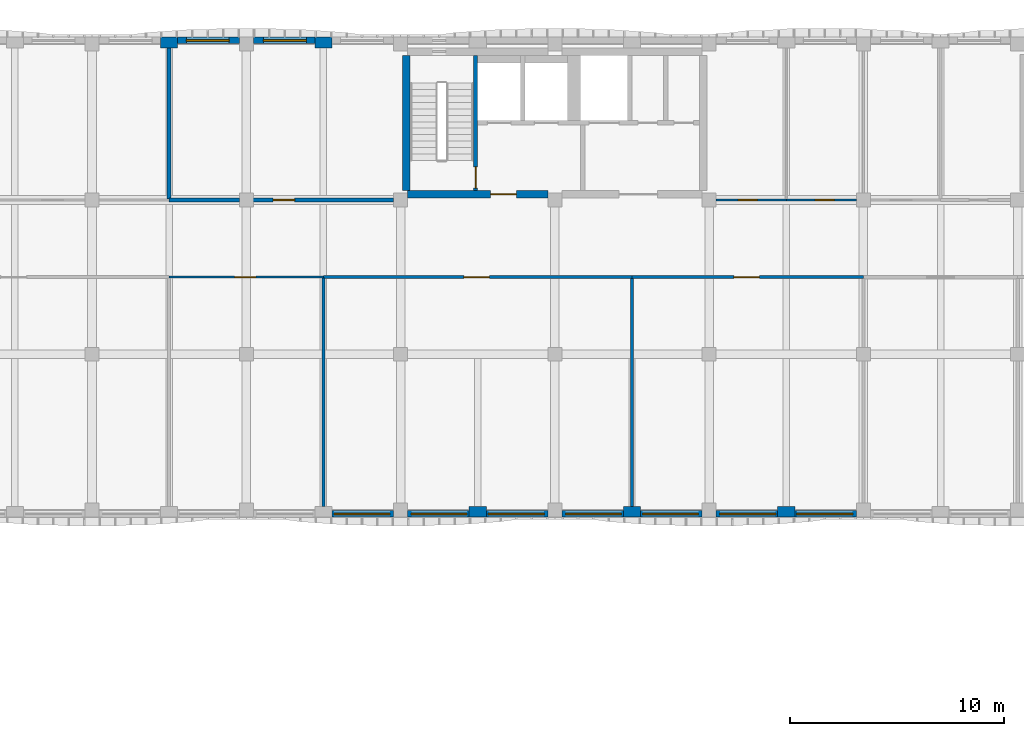
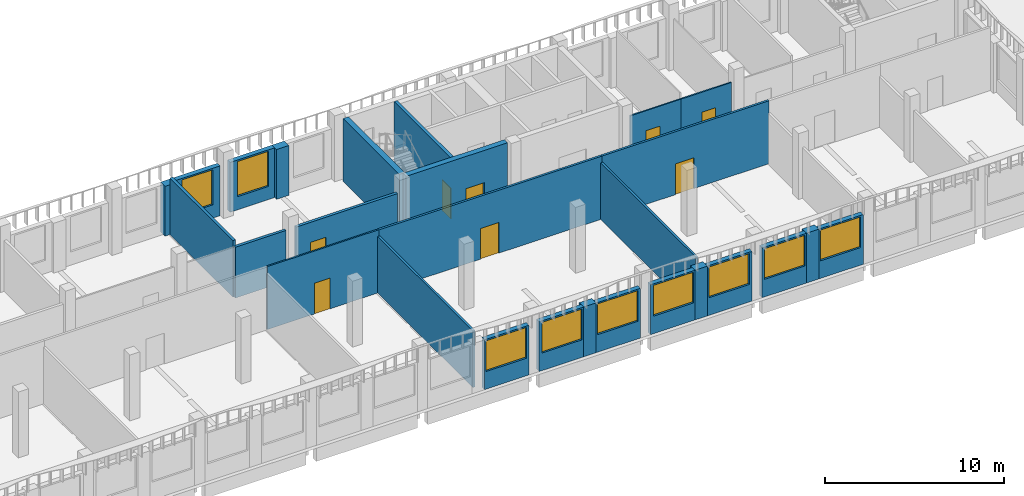
# One storey, part 26 of 54: 27 walls, 9 windows, 8 doors, 17 openings.
"""IFC4 building model written with IfcOpenShell, lengths in metres."""

from ifc_helpers import new_model, si_unit, direction, frame, frame_2d, origin, place, context, subcontext, project, spatial, rectangle, extrude, material, layer, layer_set, type_object, element, fill, save


model = new_model("IFC4")

# Units and contexts
model_context = context("Model", 3, precision=1e-05, world=origin(), true_north=direction((0.0, 1.0)))
body_context = subcontext(model_context, "Body", "Model", "MODEL_VIEW")
ifc_project = project(units=[si_unit("LENGTHUNIT", "METRE"), si_unit("AREAUNIT", "SQUARE_METRE"), si_unit("VOLUMEUNIT", "CUBIC_METRE"), si_unit("PLANEANGLEUNIT", "RADIAN"), si_unit("MASSUNIT", "GRAM", prefix="KILO")], contexts=[model_context])

# Site, building, storey
site_placement = place(None, origin())
site = spatial("IfcSite", under=ifc_project, at=site_placement, CompositionType="ELEMENT")
building_placement = place(site_placement, origin())
building = spatial("IfcBuilding", under=site, at=building_placement, Name="Ussher Court Research Institute", CompositionType="ELEMENT")
storey_placement = place(building_placement, frame((0.0, 0.0, 14.39990234375)))
storey = spatial("IfcBuildingStorey", under=building, at=storey_placement, Name="L03", CompositionType="ELEMENT", Elevation=14.39990234375)

# Wall
ifc_material_1 = material(Name="Plasterboard on steel studs with mineral wool", Category="steel")
ifc_layer_1 = layer(ifc_material_1, 0.179931640625)
ifc_layer_set_1 = layer_set([ifc_layer_1], Name="Plasterboard on steel studs with mineral wool")
wall_type_1 = type_object("IfcWallType", Name="Acoustic twin-stud partition 180", PredefinedType="PARTITIONING", material=ifc_layer_set_1)
wall_1_placement = place(storey_placement, frame((35.39990234375, 83.199951171875, 0.0), z_axis=(0.0, 0.0, 1.0), x_axis=(1.0, 0.0, 0.0)))
element("IfcWall", 1, at=wall_1_placement, inside=storey, type_object=wall_type_1, Name="Partition", PredefinedType="PARTITIONING", context=body_context, shape_type="SweptSolid", body=[
    extrude(rectangle(XDim=3.275146484375, YDim=0.179931640625, at=frame_2d((1.6376953125, 0.0))), origin(), (0.0, 0.0, 1.0), 3.47021484375),
])

# Wall, opening, door
wall_2_placement = place(storey_placement, frame((39.324951171875, 83.199951171875, 0.0), z_axis=(0.0, 0.0, 1.0), x_axis=(1.0, 0.0, 0.0)))
wall_2 = element("IfcWall", 2, at=wall_2_placement, inside=storey, type_object=wall_type_1, Name="Partition", PredefinedType="PARTITIONING", context=body_context, shape_type="SweptSolid", body=[
    extrude(rectangle(XDim=6.550048828125, YDim=0.179931640625, at=frame_2d((3.27490234375, 0.0))), origin(), (0.0, 0.0, 1.0), 3.47021484375),
])
opening_1_placement = place(wall_2_placement, frame((0.925048828125, 0.0, 0.0)))
opening_1 = element("IfcOpeningElement", 3, at=opening_1_placement, cuts=wall_2, Name="Opening D03017", PredefinedType="OPENING", context=body_context, shape_type="SweptSolid", body=[
    extrude(rectangle(XDim=1.0, YDim=2.10009765625, at=frame_2d((0.5, 1.050048828125))), frame((0.0, 0.10009765625, 0.0), z_axis=(0.0, -1.0, 0.0), x_axis=(1.0, 0.0, 0.0)), (0.0, 0.0, 1.0), 0.199951171875),
])
ifc_material_2 = material(Name="Veneered timber door", Category="wood")
door_type_1 = type_object("IfcDoorType", Name="Meeting room door 1000x2100", OperationType="NOTDEFINED", PredefinedType="DOOR", material=ifc_material_2)
door_1_placement = place(opening_1_placement, origin())
door_1 = element("IfcDoor", 4, at=door_1_placement, inside=storey, type_object=door_type_1, Name="Door D03017", OperationType="SINGLE_SWING_LEFT", OverallHeight=2.10009765625, OverallWidth=1.0, PredefinedType="DOOR", context=body_context, shape_type="SweptSolid", body=[
    extrude(rectangle(XDim=1.0, YDim=2.10009765625, at=frame_2d((0.5, 1.050048828125))), frame((0.0, 0.02490234375, 0.0), z_axis=(0.0, -1.0, 0.0), x_axis=(1.0, 0.0, 0.0)), (0.0, 0.0, 1.0), 0.050048828125),
])
fill(opening_1, door_1)

# Wall
wall_3_placement = place(storey_placement, frame((35.39990234375, 83.25, 0.0), z_axis=(0.0, 0.0, 1.0), x_axis=(0.0, 1.0, 0.0)))
element("IfcWall", 5, at=wall_3_placement, inside=storey, type_object=wall_type_1, Name="Partition", PredefinedType="PARTITIONING", context=body_context, shape_type="SweptSolid", body=[
    extrude(rectangle(XDim=7.050048828125, YDim=0.179931640625, at=frame_2d((3.52490234375, 0.0))), origin(), (0.0, 0.0, 1.0), 3.8701171875),
])

# Wall, opening, window
ifc_material_3 = material(Name="Blockwork with cream render", Category="masonry")
ifc_layer_2 = layer(ifc_material_3, 0.300048828125)
ifc_layer_set_2 = layer_set([ifc_layer_2], Name="Blockwork with cream render")
wall_type_2 = type_object("IfcWallType", Name="External wall 300 cream render", PredefinedType="SOLIDWALL", material=ifc_layer_set_2)
wall_4_placement = place(storey_placement, frame((35.800048828125, 90.64990234375, 0.0), z_axis=(0.0, 0.0, 1.0), x_axis=(1.0, 0.0, 0.0)))
wall_4 = element("IfcWall", 6, at=wall_4_placement, inside=storey, type_object=wall_type_2, Name="External wall EW1 L03", PredefinedType="SOLIDWALL", context=body_context, shape_type="SweptSolid", body=[
    extrude(rectangle(XDim=2.875, YDim=0.300048828125, at=frame_2d((1.4375, 0.0))), origin(), (0.0, 0.0, 1.0), 3.400146484375),
])
opening_2_placement = place(wall_4_placement, frame((0.39990234375, 0.0, 0.89990234375)))
opening_2 = element("IfcOpeningElement", 7, at=opening_2_placement, cuts=wall_4, Name="Opening W14", PredefinedType="OPENING", context=body_context, shape_type="SweptSolid", body=[
    extrude(rectangle(XDim=2.0, YDim=2.39990234375, at=frame_2d((1.0, 1.199951171875))), frame((0.0, 0.16015625, 0.0), z_axis=(0.0, -1.0, 0.0), x_axis=(1.0, 0.0, 0.0)), (0.0, 0.0, 1.0), 0.320068359375),
])
ifc_material_4 = material(Name="Bronze anodised aluminium with double glazing", Category="aluminium")
window_type_1 = type_object("IfcWindowType", Name="Seminar and write-up office window 2000x2400", PartitioningType="DOUBLE_PANEL_VERTICAL", PredefinedType="WINDOW", material=ifc_material_4)
window_1_placement = place(opening_2_placement, origin())
window_1 = element("IfcWindow", 8, at=window_1_placement, inside=storey, type_object=window_type_1, Name="Window W14 L03", OverallHeight=2.39990234375, OverallWidth=2.0, PartitioningType="SINGLE_PANEL", PredefinedType="WINDOW", context=body_context, shape_type="SweptSolid", body=[
    extrude(rectangle(XDim=2.0, YDim=2.39990234375, at=frame_2d((1.0, 1.199951171875))), frame((0.0, 0.030029296875, 0.0), z_axis=(0.0, -1.0, 0.0), x_axis=(1.0, 0.0, 0.0)), (0.0, 0.0, 1.0), 0.06005859375),
])
fill(opening_2, window_1)

wall_5_placement = place(storey_placement, frame((39.324951171875, 90.64990234375, 0.0), z_axis=(0.0, 0.0, 1.0), x_axis=(1.0, 0.0, 0.0)))
wall_5 = element("IfcWall", 9, at=wall_5_placement, inside=storey, type_object=wall_type_2, Name="External wall EW1 L03", PredefinedType="SOLIDWALL", context=body_context, shape_type="SweptSolid", body=[
    extrude(rectangle(XDim=2.875, YDim=0.300048828125, at=frame_2d((1.4375, 0.0))), origin(), (0.0, 0.0, 1.0), 3.400146484375),
])
opening_3_placement = place(wall_5_placement, frame((0.47509765625, 0.0, 0.89990234375)))
opening_3 = element("IfcOpeningElement", 10, at=opening_3_placement, cuts=wall_5, Name="Opening W14", PredefinedType="OPENING", context=body_context, shape_type="SweptSolid", body=[
    extrude(rectangle(XDim=2.0, YDim=2.39990234375, at=frame_2d((1.0, 1.199951171875))), frame((0.0, 0.16015625, 0.0), z_axis=(0.0, -1.0, 0.0), x_axis=(1.0, 0.0, 0.0)), (0.0, 0.0, 1.0), 0.320068359375),
])
window_2_placement = place(opening_3_placement, origin())
window_2 = element("IfcWindow", 11, at=window_2_placement, inside=storey, type_object=window_type_1, Name="Window W14 L03", OverallHeight=2.39990234375, OverallWidth=2.0, PartitioningType="SINGLE_PANEL", PredefinedType="WINDOW", context=body_context, shape_type="SweptSolid", body=[
    extrude(rectangle(XDim=2.0, YDim=2.39990234375, at=frame_2d((1.0, 1.199951171875))), frame((0.0, 0.030029296875, 0.0), z_axis=(0.0, -1.0, 0.0), x_axis=(1.0, 0.0, 0.0)), (0.0, 0.0, 1.0), 0.06005859375),
])
fill(opening_3, window_2)

wall_6_placement = place(storey_placement, frame((67.47509765625, 68.550048828125, 0.0), z_axis=(0.0, 0.0, 1.0), x_axis=(-1.0, 0.0, 0.0)))
wall_6 = element("IfcWall", 12, at=wall_6_placement, inside=storey, type_object=wall_type_2, Name="External wall EW1 L03", PredefinedType="SOLIDWALL", context=body_context, shape_type="SweptSolid", body=[
    extrude(rectangle(XDim=2.875, YDim=0.300048828125, at=frame_2d((1.4375, 0.0))), origin(), (0.0, 0.0, 1.0), 3.400146484375),
])
opening_4_placement = place(wall_6_placement, frame((0.175048828125, 0.0, 1.199951171875)))
opening_4 = element("IfcOpeningElement", 13, at=opening_4_placement, cuts=wall_6, Name="Opening W08", PredefinedType="OPENING", context=body_context, shape_type="SweptSolid", body=[
    extrude(rectangle(XDim=2.60009765625, YDim=2.10009765625, at=frame_2d((1.300048828125, 1.050048828125))), frame((0.0, 0.16015625, 0.0), z_axis=(0.0, -1.0, 0.0), x_axis=(1.0, 0.0, 0.0)), (0.0, 0.0, 1.0), 0.320068359375),
])
ifc_material_5 = material(Name="Bronze anodised aluminium with double glazing", Category="aluminium")
window_type_2 = type_object("IfcWindowType", Name="Dry laboratory bay window 2600x2100", PartitioningType="DOUBLE_PANEL_VERTICAL", PredefinedType="WINDOW", material=ifc_material_5)
window_3_placement = place(opening_4_placement, origin())
window_3 = element("IfcWindow", 14, at=window_3_placement, inside=storey, type_object=window_type_2, Name="Window W08 L03", OverallHeight=2.10009765625, OverallWidth=2.60009765625, PartitioningType="SINGLE_PANEL", PredefinedType="WINDOW", context=body_context, shape_type="SweptSolid", body=[
    extrude(rectangle(XDim=2.60009765625, YDim=2.10009765625, at=frame_2d((1.300048828125, 1.050048828125))), frame((0.0, 0.030029296875, 0.0), z_axis=(0.0, -1.0, 0.0), x_axis=(1.0, 0.0, 0.0)), (0.0, 0.0, 1.0), 0.06005859375),
])
fill(opening_4, window_3)

wall_7_placement = place(storey_placement, frame((63.800048828125, 68.550048828125, 0.0), z_axis=(0.0, 0.0, 1.0), x_axis=(-1.0, 0.0, 0.0)))
wall_7 = element("IfcWall", 15, at=wall_7_placement, inside=storey, type_object=wall_type_2, Name="External wall EW1 L03", PredefinedType="SOLIDWALL", context=body_context, shape_type="SweptSolid", body=[
    extrude(rectangle(XDim=2.875, YDim=0.300048828125, at=frame_2d((1.4375, 0.0))), origin(), (0.0, 0.0, 1.0), 3.400146484375),
])
opening_5_placement = place(wall_7_placement, frame((0.10009765625, 0.0, 1.199951171875)))
opening_5 = element("IfcOpeningElement", 16, at=opening_5_placement, cuts=wall_7, Name="Opening W08", PredefinedType="OPENING", context=body_context, shape_type="SweptSolid", body=[
    extrude(rectangle(XDim=2.60009765625, YDim=2.10009765625, at=frame_2d((1.300048828125, 1.050048828125))), frame((0.0, 0.16015625, 0.0), z_axis=(0.0, -1.0, 0.0), x_axis=(1.0, 0.0, 0.0)), (0.0, 0.0, 1.0), 0.320068359375),
])
window_4_placement = place(opening_5_placement, origin())
window_4 = element("IfcWindow", 17, at=window_4_placement, inside=storey, type_object=window_type_2, Name="Window W08 L03", OverallHeight=2.10009765625, OverallWidth=2.60009765625, PartitioningType="SINGLE_PANEL", PredefinedType="WINDOW", context=body_context, shape_type="SweptSolid", body=[
    extrude(rectangle(XDim=2.60009765625, YDim=2.10009765625, at=frame_2d((1.300048828125, 1.050048828125))), frame((0.0, 0.030029296875, 0.0), z_axis=(0.0, -1.0, 0.0), x_axis=(1.0, 0.0, 0.0)), (0.0, 0.0, 1.0), 0.06005859375),
])
fill(opening_5, window_4)

wall_8_placement = place(storey_placement, frame((60.27490234375, 68.550048828125, 0.0), z_axis=(0.0, 0.0, 1.0), x_axis=(-1.0, 0.0, 0.0)))
wall_8 = element("IfcWall", 18, at=wall_8_placement, inside=storey, type_object=wall_type_2, Name="External wall EW1 L03", PredefinedType="SOLIDWALL", context=body_context, shape_type="SweptSolid", body=[
    extrude(rectangle(XDim=2.875, YDim=0.300048828125, at=frame_2d((1.4375, 0.0))), origin(), (0.0, 0.0, 1.0), 3.400146484375),
])
opening_6_placement = place(wall_8_placement, frame((0.175048828125, 0.0, 1.199951171875)))
opening_6 = element("IfcOpeningElement", 19, at=opening_6_placement, cuts=wall_8, Name="Opening W08", PredefinedType="OPENING", context=body_context, shape_type="SweptSolid", body=[
    extrude(rectangle(XDim=2.60009765625, YDim=2.10009765625, at=frame_2d((1.300048828125, 1.050048828125))), frame((0.0, 0.16015625, 0.0), z_axis=(0.0, -1.0, 0.0), x_axis=(1.0, 0.0, 0.0)), (0.0, 0.0, 1.0), 0.320068359375),
])
window_5_placement = place(opening_6_placement, origin())
window_5 = element("IfcWindow", 20, at=window_5_placement, inside=storey, type_object=window_type_2, Name="Window W08 L03", OverallHeight=2.10009765625, OverallWidth=2.60009765625, PartitioningType="SINGLE_PANEL", PredefinedType="WINDOW", context=body_context, shape_type="SweptSolid", body=[
    extrude(rectangle(XDim=2.60009765625, YDim=2.10009765625, at=frame_2d((1.300048828125, 1.050048828125))), frame((0.0, 0.030029296875, 0.0), z_axis=(0.0, -1.0, 0.0), x_axis=(1.0, 0.0, 0.0)), (0.0, 0.0, 1.0), 0.06005859375),
])
fill(opening_6, window_5)

wall_9_placement = place(storey_placement, frame((56.60009765625, 68.550048828125, 0.0), z_axis=(0.0, 0.0, 1.0), x_axis=(-1.0, 0.0, 0.0)))
wall_9 = element("IfcWall", 21, at=wall_9_placement, inside=storey, type_object=wall_type_2, Name="External wall EW1 L03", PredefinedType="SOLIDWALL", context=body_context, shape_type="SweptSolid", body=[
    extrude(rectangle(XDim=2.875, YDim=0.300048828125, at=frame_2d((1.4375, 0.0))), origin(), (0.0, 0.0, 1.0), 3.400146484375),
])
opening_7_placement = place(wall_9_placement, frame((0.10009765625, 0.0, 1.199951171875)))
opening_7 = element("IfcOpeningElement", 22, at=opening_7_placement, cuts=wall_9, Name="Opening W08", PredefinedType="OPENING", context=body_context, shape_type="SweptSolid", body=[
    extrude(rectangle(XDim=2.60009765625, YDim=2.10009765625, at=frame_2d((1.300048828125, 1.050048828125))), frame((0.0, 0.16015625, 0.0), z_axis=(0.0, -1.0, 0.0), x_axis=(1.0, 0.0, 0.0)), (0.0, 0.0, 1.0), 0.320068359375),
])
window_6_placement = place(opening_7_placement, origin())
window_6 = element("IfcWindow", 23, at=window_6_placement, inside=storey, type_object=window_type_2, Name="Window W08 L03", OverallHeight=2.10009765625, OverallWidth=2.60009765625, PartitioningType="SINGLE_PANEL", PredefinedType="WINDOW", context=body_context, shape_type="SweptSolid", body=[
    extrude(rectangle(XDim=2.60009765625, YDim=2.10009765625, at=frame_2d((1.300048828125, 1.050048828125))), frame((0.0, 0.030029296875, 0.0), z_axis=(0.0, -1.0, 0.0), x_axis=(1.0, 0.0, 0.0)), (0.0, 0.0, 1.0), 0.06005859375),
])
fill(opening_7, window_6)

wall_10_placement = place(storey_placement, frame((53.074951171875, 68.550048828125, 0.0), z_axis=(0.0, 0.0, 1.0), x_axis=(-1.0, 0.0, 0.0)))
wall_10 = element("IfcWall", 24, at=wall_10_placement, inside=storey, type_object=wall_type_2, Name="External wall EW1 L03", PredefinedType="SOLIDWALL", context=body_context, shape_type="SweptSolid", body=[
    extrude(rectangle(XDim=2.875, YDim=0.300048828125, at=frame_2d((1.4375, 0.0))), origin(), (0.0, 0.0, 1.0), 3.400146484375),
])
opening_8_placement = place(wall_10_placement, frame((0.175048828125, 0.0, 1.199951171875)))
opening_8 = element("IfcOpeningElement", 25, at=opening_8_placement, cuts=wall_10, Name="Opening W08", PredefinedType="OPENING", context=body_context, shape_type="SweptSolid", body=[
    extrude(rectangle(XDim=2.60009765625, YDim=2.10009765625, at=frame_2d((1.300048828125, 1.050048828125))), frame((0.0, 0.16015625, 0.0), z_axis=(0.0, -1.0, 0.0), x_axis=(1.0, 0.0, 0.0)), (0.0, 0.0, 1.0), 0.320068359375),
])
window_7_placement = place(opening_8_placement, origin())
window_7 = element("IfcWindow", 26, at=window_7_placement, inside=storey, type_object=window_type_2, Name="Window W08 L03", OverallHeight=2.10009765625, OverallWidth=2.60009765625, PartitioningType="SINGLE_PANEL", PredefinedType="WINDOW", context=body_context, shape_type="SweptSolid", body=[
    extrude(rectangle(XDim=2.60009765625, YDim=2.10009765625, at=frame_2d((1.300048828125, 1.050048828125))), frame((0.0, 0.030029296875, 0.0), z_axis=(0.0, -1.0, 0.0), x_axis=(1.0, 0.0, 0.0)), (0.0, 0.0, 1.0), 0.06005859375),
])
fill(opening_8, window_7)

wall_11_placement = place(storey_placement, frame((49.39990234375, 68.550048828125, 0.0), z_axis=(0.0, 0.0, 1.0), x_axis=(-1.0, 0.0, 0.0)))
wall_11 = element("IfcWall", 27, at=wall_11_placement, inside=storey, type_object=wall_type_2, Name="External wall EW1 L03", PredefinedType="SOLIDWALL", context=body_context, shape_type="SweptSolid", body=[
    extrude(rectangle(XDim=2.875, YDim=0.300048828125, at=frame_2d((1.4375, 0.0))), origin(), (0.0, 0.0, 1.0), 3.400146484375),
])
opening_9_placement = place(wall_11_placement, frame((0.10009765625, 0.0, 1.199951171875)))
opening_9 = element("IfcOpeningElement", 28, at=opening_9_placement, cuts=wall_11, Name="Opening W08", PredefinedType="OPENING", context=body_context, shape_type="SweptSolid", body=[
    extrude(rectangle(XDim=2.60009765625, YDim=2.10009765625, at=frame_2d((1.300048828125, 1.050048828125))), frame((0.0, 0.16015625, 0.0), z_axis=(0.0, -1.0, 0.0), x_axis=(1.0, 0.0, 0.0)), (0.0, 0.0, 1.0), 0.320068359375),
])
window_8_placement = place(opening_9_placement, origin())
window_8 = element("IfcWindow", 29, at=window_8_placement, inside=storey, type_object=window_type_2, Name="Window W08 L03", OverallHeight=2.10009765625, OverallWidth=2.60009765625, PartitioningType="SINGLE_PANEL", PredefinedType="WINDOW", context=body_context, shape_type="SweptSolid", body=[
    extrude(rectangle(XDim=2.60009765625, YDim=2.10009765625, at=frame_2d((1.300048828125, 1.050048828125))), frame((0.0, 0.030029296875, 0.0), z_axis=(0.0, -1.0, 0.0), x_axis=(1.0, 0.0, 0.0)), (0.0, 0.0, 1.0), 0.06005859375),
])
fill(opening_9, window_8)

wall_12_placement = place(storey_placement, frame((45.875, 68.550048828125, 0.0), z_axis=(0.0, 0.0, 1.0), x_axis=(-1.0, 0.0, 0.0)))
wall_12 = element("IfcWall", 30, at=wall_12_placement, inside=storey, type_object=wall_type_2, Name="External wall EW1 L03", PredefinedType="SOLIDWALL", context=body_context, shape_type="SweptSolid", body=[
    extrude(rectangle(XDim=2.875, YDim=0.300048828125, at=frame_2d((1.4375, 0.0))), origin(), (0.0, 0.0, 1.0), 3.400146484375),
])
opening_10_placement = place(wall_12_placement, frame((0.175048828125, 0.0, 1.199951171875)))
opening_10 = element("IfcOpeningElement", 31, at=opening_10_placement, cuts=wall_12, Name="Opening W08", PredefinedType="OPENING", context=body_context, shape_type="SweptSolid", body=[
    extrude(rectangle(XDim=2.60009765625, YDim=2.10009765625, at=frame_2d((1.300048828125, 1.050048828125))), frame((0.0, 0.16015625, 0.0), z_axis=(0.0, -1.0, 0.0), x_axis=(1.0, 0.0, 0.0)), (0.0, 0.0, 1.0), 0.320068359375),
])
window_9_placement = place(opening_10_placement, origin())
window_9 = element("IfcWindow", 32, at=window_9_placement, inside=storey, type_object=window_type_2, Name="Window W08 L03", OverallHeight=2.10009765625, OverallWidth=2.60009765625, PartitioningType="SINGLE_PANEL", PredefinedType="WINDOW", context=body_context, shape_type="SweptSolid", body=[
    extrude(rectangle(XDim=2.60009765625, YDim=2.10009765625, at=frame_2d((1.300048828125, 1.050048828125))), frame((0.0, 0.030029296875, 0.0), z_axis=(0.0, -1.0, 0.0), x_axis=(1.0, 0.0, 0.0)), (0.0, 0.0, 1.0), 0.06005859375),
])
fill(opening_10, window_9)

# Wall, opening, door
ifc_material_6 = material(Name="Plastered blockwork", Category="masonry")
ifc_layer_3 = layer(ifc_material_6, 0.139892578125)
ifc_layer_set_3 = layer_set([ifc_layer_3], Name="Plastered blockwork")
wall_type_3 = type_object("IfcWallType", Name="Laboratory blockwork partition 140", PredefinedType="PARTITIONING", material=ifc_layer_set_3)
wall_13_placement = place(storey_placement, frame((57.0, 79.60009765625, 0.0), z_axis=(0.0, 0.0, 1.0), x_axis=(-1.0, 0.0, 0.0)))
wall_13 = element("IfcWall", 33, at=wall_13_placement, inside=storey, type_object=wall_type_3, Name="Partition", PredefinedType="PARTITIONING", context=body_context, shape_type="SweptSolid", body=[
    extrude(rectangle(XDim=14.39990234375, YDim=0.139892578125, at=frame_2d((7.199951171875, 0.0))), origin(), (0.0, 0.0, 1.0), 4.300048828125),
])
opening_11_placement = place(wall_13_placement, frame((6.64990234375, 0.0, 0.0)))
opening_11 = element("IfcOpeningElement", 34, at=opening_11_placement, cuts=wall_13, Name="Opening D03020", PredefinedType="OPENING", context=body_context, shape_type="SweptSolid", body=[
    extrude(rectangle(XDim=1.199951171875, YDim=2.10009765625, at=frame_2d((0.60009765625, 1.050048828125))), frame((0.0, 0.080078125, 0.0), z_axis=(0.0, -1.0, 0.0), x_axis=(1.0, 0.0, 0.0)), (0.0, 0.0, 1.0), 0.159912109375),
])
ifc_material_7 = material(Name="Veneered timber door", Category="wood")
door_type_2 = type_object("IfcDoorType", Name="Laboratory door 1200x2100", OperationType="NOTDEFINED", PredefinedType="DOOR", material=ifc_material_7)
door_2_placement = place(opening_11_placement, origin())
door_2 = element("IfcDoor", 35, at=door_2_placement, inside=storey, type_object=door_type_2, Name="Door D03020", OperationType="SINGLE_SWING_RIGHT", OverallHeight=2.10009765625, OverallWidth=1.199951171875, PredefinedType="DOOR", context=body_context, shape_type="SweptSolid", body=[
    extrude(rectangle(XDim=1.199951171875, YDim=2.10009765625, at=frame_2d((0.60009765625, 1.050048828125))), frame((0.0, 0.02490234375, 0.0), z_axis=(0.0, -1.0, 0.0), x_axis=(1.0, 0.0, 0.0)), (0.0, 0.0, 1.0), 0.050048828125),
])
fill(opening_11, door_2)

wall_14_placement = place(storey_placement, frame((67.800048828125, 79.60009765625, 0.0), z_axis=(0.0, 0.0, 1.0), x_axis=(-1.0, 0.0, 0.0)))
wall_14 = element("IfcWall", 36, at=wall_14_placement, inside=storey, type_object=wall_type_3, Name="Partition", PredefinedType="PARTITIONING", context=body_context, shape_type="SweptSolid", body=[
    extrude(rectangle(XDim=10.800048828125, YDim=0.139892578125, at=frame_2d((5.39990234375, 0.0))), origin(), (0.0, 0.0, 1.0), 4.300048828125),
])
opening_12_placement = place(wall_14_placement, frame((4.85009765625, 0.0, 0.0)))
opening_12 = element("IfcOpeningElement", 37, at=opening_12_placement, cuts=wall_14, Name="Opening D03025", PredefinedType="OPENING", context=body_context, shape_type="SweptSolid", body=[
    extrude(rectangle(XDim=1.199951171875, YDim=2.10009765625, at=frame_2d((0.60009765625, 1.050048828125))), frame((0.0, 0.080078125, 0.0), z_axis=(0.0, -1.0, 0.0), x_axis=(1.0, 0.0, 0.0)), (0.0, 0.0, 1.0), 0.159912109375),
])
door_3_placement = place(opening_12_placement, origin())
door_3 = element("IfcDoor", 38, at=door_3_placement, inside=storey, type_object=door_type_2, Name="Door D03025", OperationType="SINGLE_SWING_RIGHT", OverallHeight=2.10009765625, OverallWidth=1.199951171875, PredefinedType="DOOR", context=body_context, shape_type="SweptSolid", body=[
    extrude(rectangle(XDim=1.199951171875, YDim=2.10009765625, at=frame_2d((0.60009765625, 1.050048828125))), frame((0.0, 0.02490234375, 0.0), z_axis=(0.0, -1.0, 0.0), x_axis=(1.0, 0.0, 0.0)), (0.0, 0.0, 1.0), 0.050048828125),
])
fill(opening_12, door_3)

# Walls
wall_15_placement = place(storey_placement, frame((42.60009765625, 68.89990234375, 0.0), z_axis=(0.0, 0.0, 1.0), x_axis=(0.0, 1.0, 0.0)))
element("IfcWall", 39, at=wall_15_placement, inside=storey, type_object=wall_type_3, Name="Partition", PredefinedType="PARTITIONING", context=body_context, shape_type="SweptSolid", body=[
    extrude(rectangle(XDim=10.650146484375, YDim=0.139892578125, at=frame_2d((5.3251953125, 0.0))), origin(), (0.0, 0.0, 1.0), 3.8701171875),
])
wall_16_placement = place(storey_placement, frame((57.0, 68.89990234375, 0.0), z_axis=(0.0, 0.0, 1.0), x_axis=(0.0, 1.0, 0.0)))
element("IfcWall", 40, at=wall_16_placement, inside=storey, type_object=wall_type_3, Name="Partition", PredefinedType="PARTITIONING", context=body_context, shape_type="SweptSolid", body=[
    extrude(rectangle(XDim=10.630126953125, YDim=0.139892578125, at=frame_2d((5.31494140625, 0.0))), origin(), (0.0, 0.0, 1.0), 3.8701171875),
])

# Wall, opening, door
ifc_material_8 = material(Name="Plastered blockwork", Category="masonry")
ifc_layer_4 = layer(ifc_material_8, 0.10009765625)
ifc_layer_set_4 = layer_set([ifc_layer_4], Name="Plastered blockwork")
wall_type_4 = type_object("IfcWallType", Name="Partition plastered blockwork 100", PredefinedType="PARTITIONING", material=ifc_layer_set_4)
wall_17_placement = place(storey_placement, frame((42.60009765625, 79.60009765625, 0.0), z_axis=(0.0, 0.0, 1.0), x_axis=(-1.0, 0.0, 0.0)))
wall_17 = element("IfcWall", 41, at=wall_17_placement, inside=storey, type_object=wall_type_4, Name="Partition", PredefinedType="PARTITIONING", context=body_context, shape_type="SweptSolid", body=[
    extrude(rectangle(XDim=7.2001953125, YDim=0.10009765625, at=frame_2d((3.60009765625, 0.0))), origin(), (0.0, 0.0, 1.0), 4.300048828125),
])
opening_13_placement = place(wall_17_placement, frame((3.14990234375, 0.0, 0.0)))
opening_13 = element("IfcOpeningElement", 42, at=opening_13_placement, cuts=wall_17, Name="Opening D03015", PredefinedType="OPENING", context=body_context, shape_type="SweptSolid", body=[
    extrude(rectangle(XDim=1.0, YDim=2.10009765625, at=frame_2d((0.5, 1.050048828125))), frame((0.0, 0.06005859375, 0.0), z_axis=(0.0, -1.0, 0.0), x_axis=(1.0, 0.0, 0.0)), (0.0, 0.0, 1.0), 0.1201171875),
])
ifc_material_9 = material(Name="Veneered timber door", Category="wood")
door_type_3 = type_object("IfcDoorType", Name="Office door 1000x2100", OperationType="NOTDEFINED", PredefinedType="DOOR", material=ifc_material_9)
door_4_placement = place(opening_13_placement, origin())
door_4 = element("IfcDoor", 43, at=door_4_placement, inside=storey, type_object=door_type_3, Name="Door D03015", OperationType="SINGLE_SWING_RIGHT", OverallHeight=2.10009765625, OverallWidth=1.0, PredefinedType="DOOR", context=body_context, shape_type="SweptSolid", body=[
    extrude(rectangle(XDim=1.0, YDim=2.10009765625, at=frame_2d((0.5, 1.050048828125))), frame((0.0, 0.02490234375, 0.0), z_axis=(0.0, -1.0, 0.0), x_axis=(1.0, 0.0, 0.0)), (0.0, 0.0, 1.0), 0.050048828125),
])
fill(opening_13, door_4)

# Walls
ifc_material_10 = material(Name="Blockwork with cream render", Category="masonry")
ifc_layer_5 = layer(ifc_material_10, 0.5)
ifc_layer_set_5 = layer_set([ifc_layer_5], Name="Blockwork with cream render")
wall_type_5 = type_object("IfcWallType", Name="Pier 800x500 cream render", PredefinedType="SOLIDWALL", material=ifc_layer_set_5)
for number, where, z_axis, x_axis, name in (
    (44, (35.0, 90.550048828125, 0.0), (0.0, 0.0, 1.0), (1.0, 0.0, 0.0), "Pier PR1 L03"),
    (45, (42.199951171875, 90.550048828125, 0.0), (0.0, 0.0, 1.0), (1.0, 0.0, 0.0), "Pier PR1 L03"),
    (46, (64.60009765625, 68.64990234375, 0.0), (0.0, 0.0, 1.0), (-1.0, 0.0, 0.0), "Pier PR1 L03"),
):
    element("IfcWall", number, at=place(storey_placement, frame(where, z_axis=z_axis, x_axis=x_axis)), inside=storey, type_object=wall_type_5, Name=name, PredefinedType="SOLIDWALL", context=body_context, shape_type="SweptSolid", body=[
        extrude(rectangle(XDim=0.800048828125, YDim=0.5, at=frame_2d((0.39990234375, 0.0))), origin(), (0.0, 0.0, 1.0), 3.400146484375),
    ])
wall_18_placement = place(storey_placement, frame((57.39990234375, 68.64990234375, 0.0), z_axis=(0.0, 0.0, 1.0), x_axis=(-1.0, 0.0, 0.0)))
element("IfcWall", 47, at=wall_18_placement, inside=storey, type_object=wall_type_5, Name="Pier PR1 L03", PredefinedType="SOLIDWALL", context=body_context, shape_type="SweptSolid", body=[
    extrude(rectangle(XDim=0.7998046875, YDim=0.5, at=frame_2d((0.39990234375, 0.0))), origin(), (0.0, 0.0, 1.0), 3.400146484375),
])
wall_19_placement = place(storey_placement, frame((50.199951171875, 68.64990234375, 0.0), z_axis=(0.0, 0.0, 1.0), x_axis=(-1.0, 0.0, 0.0)))
element("IfcWall", 48, at=wall_19_placement, inside=storey, type_object=wall_type_5, Name="Pier PR1 L03", PredefinedType="SOLIDWALL", context=body_context, shape_type="SweptSolid", body=[
    extrude(rectangle(XDim=0.800048828125, YDim=0.5, at=frame_2d((0.39990234375, 0.0))), origin(), (0.0, 0.0, 1.0), 3.400146484375),
])

# Wall, opening, door
ifc_material_11 = material(Name="Concrete C35/45", Category="concrete")
ifc_layer_6 = layer(ifc_material_11, 0.199951171875)
ifc_layer_set_6 = layer_set([ifc_layer_6], Name="Concrete C35/45")
wall_type_6 = type_object("IfcWallType", Name="RC core wall 200", PredefinedType="SHEAR", material=ifc_layer_set_6)
wall_20_placement = place(storey_placement, frame((49.699951171875, 83.64990234375, 0.0), z_axis=(0.0, 0.0, 1.0), x_axis=(0.0, 1.0, 0.0)))
wall_20 = element("IfcWall", 49, at=wall_20_placement, inside=storey, type_object=wall_type_6, Name="Core wall D2", PredefinedType="SHEAR", context=body_context, shape_type="SweptSolid", body=[
    extrude(rectangle(XDim=6.300048828125, YDim=0.199951171875, at=frame_2d((3.14990234375, 0.0))), origin(), (0.0, 0.0, 1.0), 4.300048828125),
])
opening_14_placement = place(wall_20_placement, frame((0.10009765625, 0.0, 0.0)))
opening_14 = element("IfcOpeningElement", 50, at=opening_14_placement, cuts=wall_20, Name="Opening D03019", PredefinedType="OPENING", context=body_context, shape_type="SweptSolid", body=[
    extrude(rectangle(XDim=1.0, YDim=2.10009765625, at=frame_2d((0.5, 1.050048828125))), frame((0.0, 0.10986328125, 0.0), z_axis=(0.0, -1.0, 0.0), x_axis=(1.0, 0.0, 0.0)), (0.0, 0.0, 1.0), 0.219970703125),
])
ifc_material_12 = material(Name="Painted steel faced fire door", Category="steel")
door_type_4 = type_object("IfcDoorType", Name="Fire door 1000x2100 FD60", OperationType="NOTDEFINED", PredefinedType="DOOR", material=ifc_material_12)
door_5_placement = place(opening_14_placement, origin())
door_5 = element("IfcDoor", 51, at=door_5_placement, inside=storey, type_object=door_type_4, Name="Door D03019", OperationType="SINGLE_SWING_LEFT", OverallHeight=2.10009765625, OverallWidth=1.0, PredefinedType="DOOR", context=body_context, shape_type="SweptSolid", body=[
    extrude(rectangle(XDim=1.0, YDim=2.10009765625, at=frame_2d((0.5, 1.050048828125))), frame((0.0, 0.02490234375, 0.0), z_axis=(0.0, -1.0, 0.0), x_axis=(1.0, 0.0, 0.0)), (0.0, 0.0, 1.0), 0.050048828125),
])
fill(opening_14, door_5)

ifc_material_13 = material(Name="Concrete C35/45", Category="concrete")
ifc_layer_7 = layer(ifc_material_13, 0.35009765625)
ifc_layer_set_7 = layer_set([ifc_layer_7], Name="Concrete C35/45")
wall_type_7 = type_object("IfcWallType", Name="RC core wall 350", PredefinedType="SHEAR", material=ifc_layer_set_7)
wall_21_placement = place(storey_placement, frame((46.52490234375, 83.47509765625, 0.0), z_axis=(0.0, 0.0, 1.0), x_axis=(1.0, 0.0, 0.0)))
wall_21 = element("IfcWall", 52, at=wall_21_placement, inside=storey, type_object=wall_type_7, Name="Core wall D2", PredefinedType="SHEAR", context=body_context, shape_type="SweptSolid", body=[
    extrude(rectangle(XDim=6.550048828125, YDim=0.35009765625, at=frame_2d((3.27490234375, 0.0))), origin(), (0.0, 0.0, 1.0), 4.300048828125),
])
opening_15_placement = place(wall_21_placement, frame((3.875, 0.0, 0.0)))
opening_15 = element("IfcOpeningElement", 53, at=opening_15_placement, cuts=wall_21, Name="Opening D03021", PredefinedType="OPENING", context=body_context, shape_type="SweptSolid", body=[
    extrude(rectangle(XDim=1.199951171875, YDim=2.10009765625, at=frame_2d((0.60009765625, 1.050048828125))), frame((0.0, 0.18505859375, 0.0), z_axis=(0.0, -1.0, 0.0), x_axis=(1.0, 0.0, 0.0)), (0.0, 0.0, 1.0), 0.3701171875),
])
ifc_material_14 = material(Name="Painted steel faced fire door", Category="steel")
door_type_5 = type_object("IfcDoorType", Name="Fire door 1200x2100 FD60", OperationType="NOTDEFINED", PredefinedType="DOOR", material=ifc_material_14)
door_6_placement = place(opening_15_placement, origin())
door_6 = element("IfcDoor", 54, at=door_6_placement, inside=storey, type_object=door_type_5, Name="Door D03021", OperationType="SINGLE_SWING_RIGHT", OverallHeight=2.10009765625, OverallWidth=1.199951171875, PredefinedType="DOOR", context=body_context, shape_type="SweptSolid", body=[
    extrude(rectangle(XDim=1.199951171875, YDim=2.10009765625, at=frame_2d((0.60009765625, 1.050048828125))), frame((0.0, 0.02490234375, 0.0), z_axis=(0.0, -1.0, 0.0), x_axis=(1.0, 0.0, 0.0)), (0.0, 0.0, 1.0), 0.050048828125),
])
fill(opening_15, door_6)

# Wall
wall_22_placement = place(storey_placement, frame((46.47509765625, 83.64990234375, 0.0), z_axis=(0.0, 0.0, 1.0), x_axis=(0.0, 1.0, 0.0)))
element("IfcWall", 55, at=wall_22_placement, inside=storey, type_object=wall_type_7, Name="Core wall D2", PredefinedType="SHEAR", context=body_context, shape_type="SweptSolid", body=[
    extrude(rectangle(XDim=6.300048828125, YDim=0.35009765625, at=frame_2d((3.14990234375, 0.0))), origin(), (0.0, 0.0, 1.0), 4.300048828125),
])

# Wall, opening, door
ifc_material_15 = material(Name="Moisture-resistant board on steel studs", Category="steel")
ifc_layer_8 = layer(ifc_material_15, 0.090087890625)
ifc_layer_set_8 = layer_set([ifc_layer_8], Name="Moisture-resistant board on steel studs")
wall_type_8 = type_object("IfcWallType", Name="WC lining partition 90", PredefinedType="PARTITIONING", material=ifc_layer_set_8)
wall_23_placement = place(storey_placement, frame((60.925048828125, 83.199951171875, 0.0), z_axis=(0.0, 0.0, 1.0), x_axis=(1.0, 0.0, 0.0)))
wall_23 = element("IfcWall", 56, at=wall_23_placement, inside=storey, type_object=wall_type_8, Name="Partition", PredefinedType="PARTITIONING", context=body_context, shape_type="SweptSolid", body=[
    extrude(rectangle(XDim=3.27490234375, YDim=0.090087890625, at=frame_2d((1.637451171875, 0.0))), origin(), (0.0, 0.0, 1.0), 3.47021484375),
])
opening_16_placement = place(wall_23_placement, frame((1.02490234375, 0.0, 0.0)))
opening_16 = element("IfcOpeningElement", 57, at=opening_16_placement, cuts=wall_23, Name="Opening D03026", PredefinedType="OPENING", context=body_context, shape_type="SweptSolid", body=[
    extrude(rectangle(XDim=0.89990234375, YDim=2.10009765625, at=frame_2d((0.449951171875, 1.050048828125))), frame((0.0, 0.05517578125, 0.0), z_axis=(0.0, -1.0, 0.0), x_axis=(1.0, 0.0, 0.0)), (0.0, 0.0, 1.0), 0.110107421875),
])
ifc_material_16 = material(Name="Veneered timber door", Category="wood")
door_type_6 = type_object("IfcDoorType", Name="WC door 900x2100", OperationType="NOTDEFINED", PredefinedType="DOOR", material=ifc_material_16)
door_7_placement = place(opening_16_placement, origin())
door_7 = element("IfcDoor", 58, at=door_7_placement, inside=storey, type_object=door_type_6, Name="Door D03026", OperationType="SINGLE_SWING_LEFT", OverallHeight=2.10009765625, OverallWidth=0.89990234375, PredefinedType="DOOR", context=body_context, shape_type="SweptSolid", body=[
    extrude(rectangle(XDim=0.89990234375, YDim=2.10009765625, at=frame_2d((0.449951171875, 1.050048828125))), frame((0.0, 0.02490234375, 0.0), z_axis=(0.0, -1.0, 0.0), x_axis=(1.0, 0.0, 0.0)), (0.0, 0.0, 1.0), 0.050048828125),
])
fill(opening_16, door_7)

wall_24_placement = place(storey_placement, frame((64.199951171875, 83.199951171875, 0.0), z_axis=(0.0, 0.0, 1.0), x_axis=(1.0, 0.0, 0.0)))
wall_24 = element("IfcWall", 59, at=wall_24_placement, inside=storey, type_object=wall_type_8, Name="Partition", PredefinedType="PARTITIONING", context=body_context, shape_type="SweptSolid", body=[
    extrude(rectangle(XDim=3.275146484375, YDim=0.090087890625, at=frame_2d((1.6376953125, 0.0))), origin(), (0.0, 0.0, 1.0), 3.47021484375),
])
opening_17_placement = place(wall_24_placement, frame((1.35009765625, 0.0, 0.0)))
opening_17 = element("IfcOpeningElement", 60, at=opening_17_placement, cuts=wall_24, Name="Opening D03030", PredefinedType="OPENING", context=body_context, shape_type="SweptSolid", body=[
    extrude(rectangle(XDim=0.89990234375, YDim=2.10009765625, at=frame_2d((0.449951171875, 1.050048828125))), frame((0.0, 0.05517578125, 0.0), z_axis=(0.0, -1.0, 0.0), x_axis=(1.0, 0.0, 0.0)), (0.0, 0.0, 1.0), 0.110107421875),
])
door_8_placement = place(opening_17_placement, origin())
door_8 = element("IfcDoor", 61, at=door_8_placement, inside=storey, type_object=door_type_6, Name="Door D03030", OperationType="SINGLE_SWING_RIGHT", OverallHeight=2.10009765625, OverallWidth=0.89990234375, PredefinedType="DOOR", context=body_context, shape_type="SweptSolid", body=[
    extrude(rectangle(XDim=0.89990234375, YDim=2.10009765625, at=frame_2d((0.449951171875, 1.050048828125))), frame((0.0, 0.02490234375, 0.0), z_axis=(0.0, -1.0, 0.0), x_axis=(1.0, 0.0, 0.0)), (0.0, 0.0, 1.0), 0.050048828125),
])
fill(opening_17, door_8)

save(model, "model.ifc")
